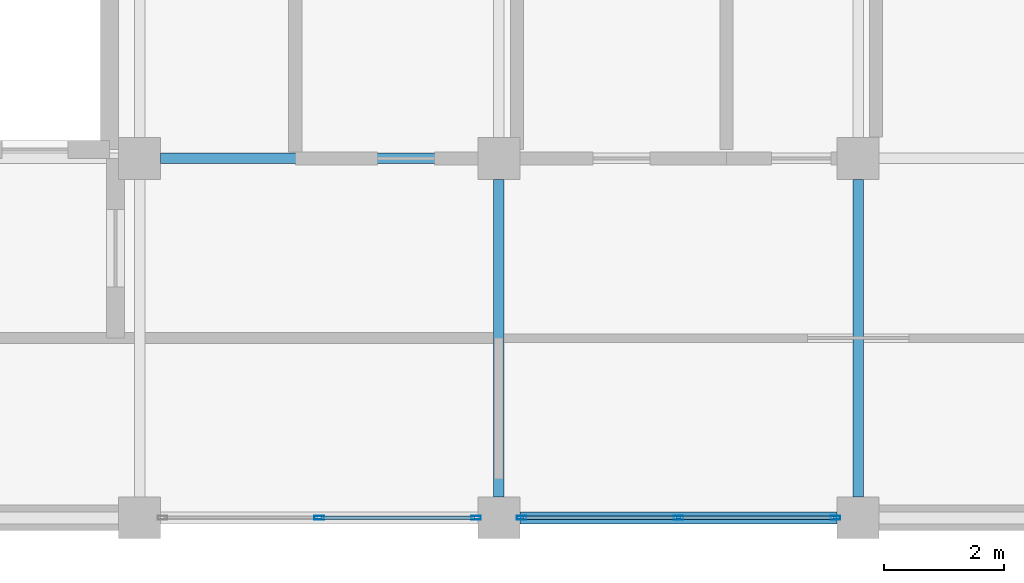
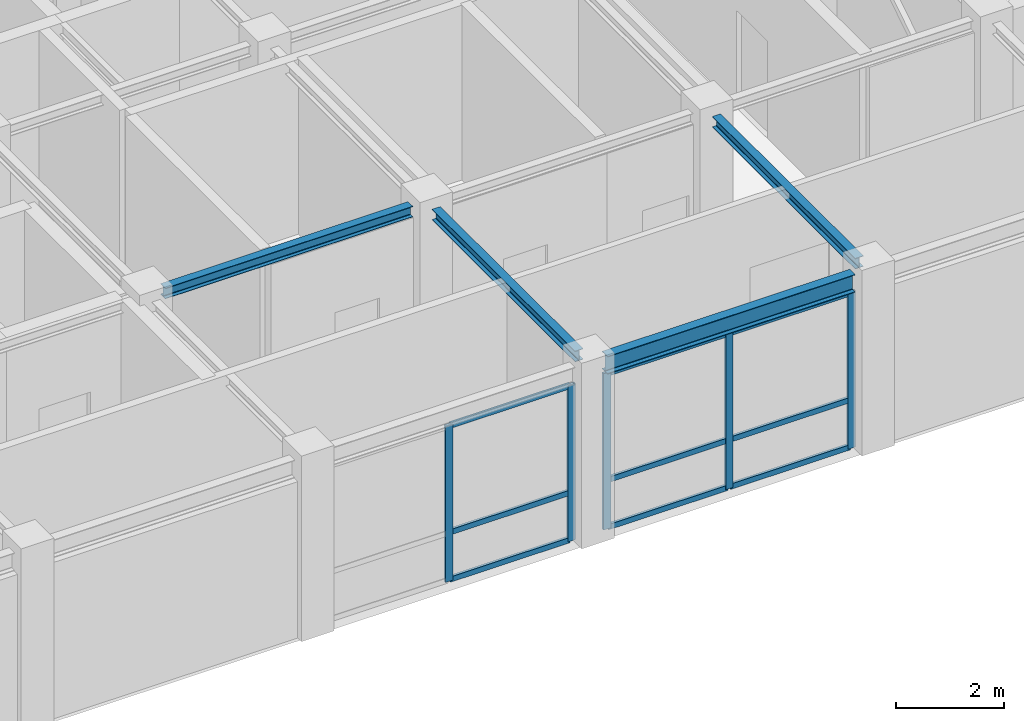
# One storey, part 6 of 14: 14 members, 4 beams, 2 elements without a shape of their own.
"""IFC4 building model written with IfcOpenShell, lengths in metres."""

from ifc_helpers import new_model, si_unit, direction, frame, origin, origin_2d, place, context, subcontext, project, spatial, hollow_rectangle, i_section, extrude, material, layer, layer_set, material_profile, profile_set, type_object, element, aggregate, save


model = new_model("IFC4")

# Units and contexts
model_context = context("Model", 3, precision=1e-05, world=origin(), true_north=direction((0.0, 1.0)))
body_context = subcontext(model_context, "Body", "Model", "MODEL_VIEW")
ifc_project = project(units=[si_unit("LENGTHUNIT", "METRE"), si_unit("AREAUNIT", "SQUARE_METRE"), si_unit("VOLUMEUNIT", "CUBIC_METRE"), si_unit("PLANEANGLEUNIT", "RADIAN"), si_unit("MASSUNIT", "GRAM", prefix="KILO")], contexts=[model_context])

# Site, building, storey
site_placement = place(None, origin())
site = spatial("IfcSite", under=ifc_project, at=site_placement, CompositionType="ELEMENT")
building_placement = place(site_placement, origin())
building = spatial("IfcBuilding", under=site, at=building_placement, Name="Zlatovratsky Civic Hall", CompositionType="ELEMENT")
storey_placement = place(building_placement, frame((0.0, 0.0, 67.800048828125)))
storey = spatial("IfcBuildingStorey", under=building, at=storey_placement, Name="L17", CompositionType="ELEMENT", Elevation=67.800048828125)

# Beams
ifc_material_1 = material(Name="Steel S355", Category="steel")
ifc_material_profile_1 = material_profile(ifc_material_1, i_section(OverallWidth=0.175048828125, OverallDepth=0.243896484375, WebThickness=0.007080078125, FlangeThickness=0.010986328125, FilletRadius=0.01611328125, at=origin_2d()), Name="25Sh1")
ifc_profile_set_1 = profile_set([ifc_material_profile_1], Name="Steel S355")
beam_type_1 = type_object("IfcBeamType", Name="Beam_Crown_25Sh1", PredefinedType="BEAM", material=ifc_profile_set_1)
for number, where, z_axis, x_axis, name in (
    (1, (78.35009765625, 84.0, 3.837890625), (1.0, 0.0, 0.0), (0.0, 1.0, 0.0), "BM-5201"),
    (2, (84.0, 78.35009765625, 3.837890625), (0.0, 1.0, 0.0), (-1.0, 0.0, 0.0), "BM-5233"),
    (3, (90.0, 78.35009765625, 3.837890625), (0.0, 1.0, 0.0), (-1.0, 0.0, 0.0), "BM-5237"),
):
    element("IfcBeam", number, at=place(storey_placement, frame(where, z_axis=z_axis, x_axis=x_axis)), inside=storey, type_object=beam_type_1, Name=name, PredefinedType="BEAM", context=body_context, shape_type="SweptSolid", body=[
        extrude(i_section(OverallWidth=0.175048828125, OverallDepth=0.243896484375, WebThickness=0.007080078125, FlangeThickness=0.010986328125, FilletRadius=0.01611328125, at=origin_2d()), origin(), (0.0, 0.0, 1.0), 5.2998046875),
    ])
ifc_material_profile_2 = material_profile(ifc_material_1, i_section(OverallWidth=0.199951171875, OverallDepth=0.39990234375, WebThickness=0.008056640625, FlangeThickness=0.012939453125, FilletRadius=0.014892578125, at=origin_2d()), Name="40B2")
ifc_profile_set_2 = profile_set([ifc_material_profile_2], Name="Steel S355")
beam_type_2 = type_object("IfcBeamType", Name="Beam_Spandrel_40B2", PredefinedType="SPANDREL", material=ifc_profile_set_2)
beam_placement = place(storey_placement, frame((84.35009765625, 78.0, 3.760009765625), z_axis=(1.0, 0.0, 0.0), x_axis=(0.0, 1.0, 0.0)))
element("IfcBeam", 4, at=beam_placement, inside=storey, type_object=beam_type_2, Name="BM-5196", PredefinedType="SPANDREL", context=body_context, shape_type="SweptSolid", body=[
    extrude(i_section(OverallWidth=0.199951171875, OverallDepth=0.39990234375, WebThickness=0.008056640625, FlangeThickness=0.012939453125, FilletRadius=0.014892578125, at=origin_2d()), origin(), (0.0, 0.0, 1.0), 5.2998046875),
])

# Curtain wall, members
ifc_material_2 = material(Name="Anodised bronze aluminium", Category="aluminium")
ifc_layer = layer(ifc_material_2, 0.159912109375)
ifc_layer_set = layer_set([ifc_layer], Name="Anodised bronze aluminium")
curtain_wall_type = type_object("IfcCurtainWallType", Name="CurtainWall_Bronze_5300x3540_25", PredefinedType="NOTDEFINED", material=ifc_layer_set)
curtain_wall_1_placement = place(storey_placement, origin())
curtain_wall_1 = element("IfcCurtainWall", 5, at=curtain_wall_1_placement, inside=storey, type_object=curtain_wall_type, Name="CW-177", PredefinedType="NOTDEFINED")
ifc_material_profile_3 = material_profile(ifc_material_2, hollow_rectangle(XDim=0.06005859375, YDim=0.159912109375, WallThickness=0.00390625, at=origin_2d()), Name="ALU 60x160x4")
ifc_profile_set_3 = profile_set([ifc_material_profile_3], Name="Anodised bronze aluminium")
member_type_1 = type_object("IfcMemberType", Name="CW_Mullion_60x160", PredefinedType="MULLION", material=ifc_profile_set_3)
member_1_placement = place(storey_placement, frame((81.0, 78.0, 0.0), z_axis=(0.0, 0.0, 1.0), x_axis=(0.0, 1.0, 0.0)))
member_1 = element("IfcMember", 6, at=member_1_placement, type_object=member_type_1, Name="CW-25 mullion 2", PredefinedType="MULLION", context=body_context, shape_type="SweptSolid", body=[
    extrude(hollow_rectangle(XDim=0.06005859375, YDim=0.159912109375, WallThickness=0.00390625, at=origin_2d()), origin(), (0.0, 0.0, 1.0), 3.5400390625),
])
member_2_placement = place(storey_placement, frame((83.6201171875, 78.0, 0.0), z_axis=(0.0, 0.0, 1.0), x_axis=(0.0, 1.0, 0.0)))
member_2 = element("IfcMember", 7, at=member_2_placement, type_object=member_type_1, Name="CW-25 mullion 3", PredefinedType="MULLION", context=body_context, shape_type="SweptSolid", body=[
    extrude(hollow_rectangle(XDim=0.06005859375, YDim=0.159912109375, WallThickness=0.00390625, at=origin_2d()), origin(), (0.0, 0.0, 1.0), 3.5400390625),
])

curtain_wall_2_placement = place(storey_placement, origin())
curtain_wall_2 = element("IfcCurtainWall", 8, at=curtain_wall_2_placement, inside=storey, type_object=curtain_wall_type, Name="CW-178", PredefinedType="NOTDEFINED")
member_3_placement = place(storey_placement, frame((84.3798828125, 78.0, 0.0), z_axis=(0.0, 0.0, 1.0), x_axis=(0.0, 1.0, 0.0)))
member_3 = element("IfcMember", 9, at=member_3_placement, type_object=member_type_1, Name="CW-25 mullion 1", PredefinedType="MULLION", context=body_context, shape_type="SweptSolid", body=[
    extrude(hollow_rectangle(XDim=0.06005859375, YDim=0.159912109375, WallThickness=0.00390625, at=origin_2d()), origin(), (0.0, 0.0, 1.0), 3.5400390625),
])
member_4_placement = place(storey_placement, frame((87.0, 78.0, 0.0), z_axis=(0.0, 0.0, 1.0), x_axis=(0.0, 1.0, 0.0)))
member_4 = element("IfcMember", 10, at=member_4_placement, type_object=member_type_1, Name="CW-25 mullion 2", PredefinedType="MULLION", context=body_context, shape_type="SweptSolid", body=[
    extrude(hollow_rectangle(XDim=0.06005859375, YDim=0.159912109375, WallThickness=0.00390625, at=origin_2d()), origin(), (0.0, 0.0, 1.0), 3.5400390625),
])
member_5_placement = place(storey_placement, frame((89.6201171875, 78.0, 0.0), z_axis=(0.0, 0.0, 1.0), x_axis=(0.0, 1.0, 0.0)))
member_5 = element("IfcMember", 11, at=member_5_placement, type_object=member_type_1, Name="CW-25 mullion 3", PredefinedType="MULLION", context=body_context, shape_type="SweptSolid", body=[
    extrude(hollow_rectangle(XDim=0.06005859375, YDim=0.159912109375, WallThickness=0.00390625, at=origin_2d()), origin(), (0.0, 0.0, 1.0), 3.5400390625),
])

# Member
ifc_material_profile_4 = material_profile(ifc_material_2, hollow_rectangle(XDim=0.06005859375, YDim=0.1201171875, WallThickness=0.00390625, at=origin_2d()), Name="ALU 60x120x4")
ifc_profile_set_4 = profile_set([ifc_material_profile_4], Name="Anodised bronze aluminium")
member_type_2 = type_object("IfcMemberType", Name="CW_Transom_60x120", PredefinedType="USERDEFINED", material=ifc_profile_set_4)
member_6_placement = place(storey_placement, frame((81.030029296875, 78.0, 0.030029296875), z_axis=(1.0, 0.0, 0.0), x_axis=(0.0, 1.0, 0.0)))
member_6 = element("IfcMember", 12, at=member_6_placement, type_object=member_type_2, Name="CW-25 transom 2.1", ObjectType="TRANSOM", PredefinedType="USERDEFINED", context=body_context, shape_type="SweptSolid", body=[
    extrude(hollow_rectangle(XDim=0.06005859375, YDim=0.1201171875, WallThickness=0.00390625, at=origin_2d()), origin(), (0.0, 0.0, 1.0), 2.56005859375),
])

member_7_placement = place(storey_placement, frame((81.030029296875, 78.0, 1.099853515625), z_axis=(1.0, 0.0, 0.0), x_axis=(0.0, 1.0, 0.0)))
member_7 = element("IfcMember", 13, at=member_7_placement, type_object=member_type_2, Name="CW-25 transom 2.2", ObjectType="TRANSOM", PredefinedType="USERDEFINED", context=body_context, shape_type="SweptSolid", body=[
    extrude(hollow_rectangle(XDim=0.06005859375, YDim=0.1201171875, WallThickness=0.00390625, at=origin_2d()), origin(), (0.0, 0.0, 1.0), 2.56005859375),
])

member_8_placement = place(storey_placement, frame((81.030029296875, 78.0, 3.510009765625), z_axis=(1.0, 0.0, 0.0), x_axis=(0.0, 1.0, 0.0)))
member_8 = element("IfcMember", 14, at=member_8_placement, type_object=member_type_2, Name="CW-25 transom 2.3", ObjectType="TRANSOM", PredefinedType="USERDEFINED", context=body_context, shape_type="SweptSolid", body=[
    extrude(hollow_rectangle(XDim=0.06005859375, YDim=0.1201171875, WallThickness=0.00390625, at=origin_2d()), origin(), (0.0, 0.0, 1.0), 2.56005859375),
])

aggregate(curtain_wall_1, [member_1, member_2, member_6, member_7, member_8])

member_9_placement = place(storey_placement, frame((84.409912109375, 78.0, 0.030029296875), z_axis=(1.0, 0.0, 0.0), x_axis=(0.0, 1.0, 0.0)))
member_9 = element("IfcMember", 15, at=member_9_placement, type_object=member_type_2, Name="CW-25 transom 1.1", ObjectType="TRANSOM", PredefinedType="USERDEFINED", context=body_context, shape_type="SweptSolid", body=[
    extrude(hollow_rectangle(XDim=0.06005859375, YDim=0.1201171875, WallThickness=0.00390625, at=origin_2d()), origin(), (0.0, 0.0, 1.0), 2.56005859375),
])

member_10_placement = place(storey_placement, frame((84.409912109375, 78.0, 1.099853515625), z_axis=(1.0, 0.0, 0.0), x_axis=(0.0, 1.0, 0.0)))
member_10 = element("IfcMember", 16, at=member_10_placement, type_object=member_type_2, Name="CW-25 transom 1.2", ObjectType="TRANSOM", PredefinedType="USERDEFINED", context=body_context, shape_type="SweptSolid", body=[
    extrude(hollow_rectangle(XDim=0.06005859375, YDim=0.1201171875, WallThickness=0.00390625, at=origin_2d()), origin(), (0.0, 0.0, 1.0), 2.56005859375),
])

member_11_placement = place(storey_placement, frame((84.409912109375, 78.0, 3.510009765625), z_axis=(1.0, 0.0, 0.0), x_axis=(0.0, 1.0, 0.0)))
member_11 = element("IfcMember", 17, at=member_11_placement, type_object=member_type_2, Name="CW-25 transom 1.3", ObjectType="TRANSOM", PredefinedType="USERDEFINED", context=body_context, shape_type="SweptSolid", body=[
    extrude(hollow_rectangle(XDim=0.06005859375, YDim=0.1201171875, WallThickness=0.00390625, at=origin_2d()), origin(), (0.0, 0.0, 1.0), 2.56005859375),
])

member_12_placement = place(storey_placement, frame((87.030029296875, 78.0, 0.030029296875), z_axis=(1.0, 0.0, 0.0), x_axis=(0.0, 1.0, 0.0)))
member_12 = element("IfcMember", 18, at=member_12_placement, type_object=member_type_2, Name="CW-25 transom 2.1", ObjectType="TRANSOM", PredefinedType="USERDEFINED", context=body_context, shape_type="SweptSolid", body=[
    extrude(hollow_rectangle(XDim=0.06005859375, YDim=0.1201171875, WallThickness=0.00390625, at=origin_2d()), origin(), (0.0, 0.0, 1.0), 2.56005859375),
])

member_13_placement = place(storey_placement, frame((87.030029296875, 78.0, 1.099853515625), z_axis=(1.0, 0.0, 0.0), x_axis=(0.0, 1.0, 0.0)))
member_13 = element("IfcMember", 19, at=member_13_placement, type_object=member_type_2, Name="CW-25 transom 2.2", ObjectType="TRANSOM", PredefinedType="USERDEFINED", context=body_context, shape_type="SweptSolid", body=[
    extrude(hollow_rectangle(XDim=0.06005859375, YDim=0.1201171875, WallThickness=0.00390625, at=origin_2d()), origin(), (0.0, 0.0, 1.0), 2.56005859375),
])

member_14_placement = place(storey_placement, frame((87.030029296875, 78.0, 3.510009765625), z_axis=(1.0, 0.0, 0.0), x_axis=(0.0, 1.0, 0.0)))
member_14 = element("IfcMember", 20, at=member_14_placement, type_object=member_type_2, Name="CW-25 transom 2.3", ObjectType="TRANSOM", PredefinedType="USERDEFINED", context=body_context, shape_type="SweptSolid", body=[
    extrude(hollow_rectangle(XDim=0.06005859375, YDim=0.1201171875, WallThickness=0.00390625, at=origin_2d()), origin(), (0.0, 0.0, 1.0), 2.56005859375),
])

aggregate(curtain_wall_2, [member_3, member_4, member_5, member_9, member_10, member_11, member_12, member_13, member_14])

save(model, "model.ifc")
